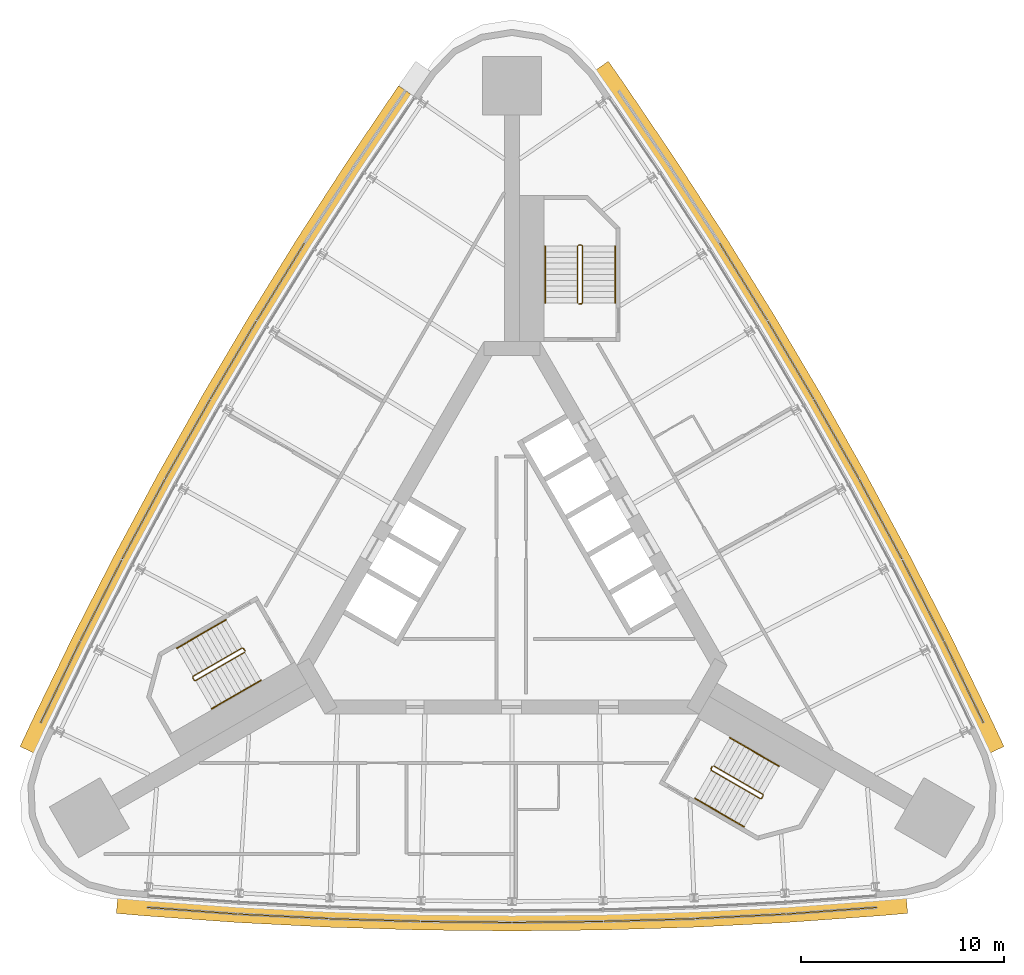
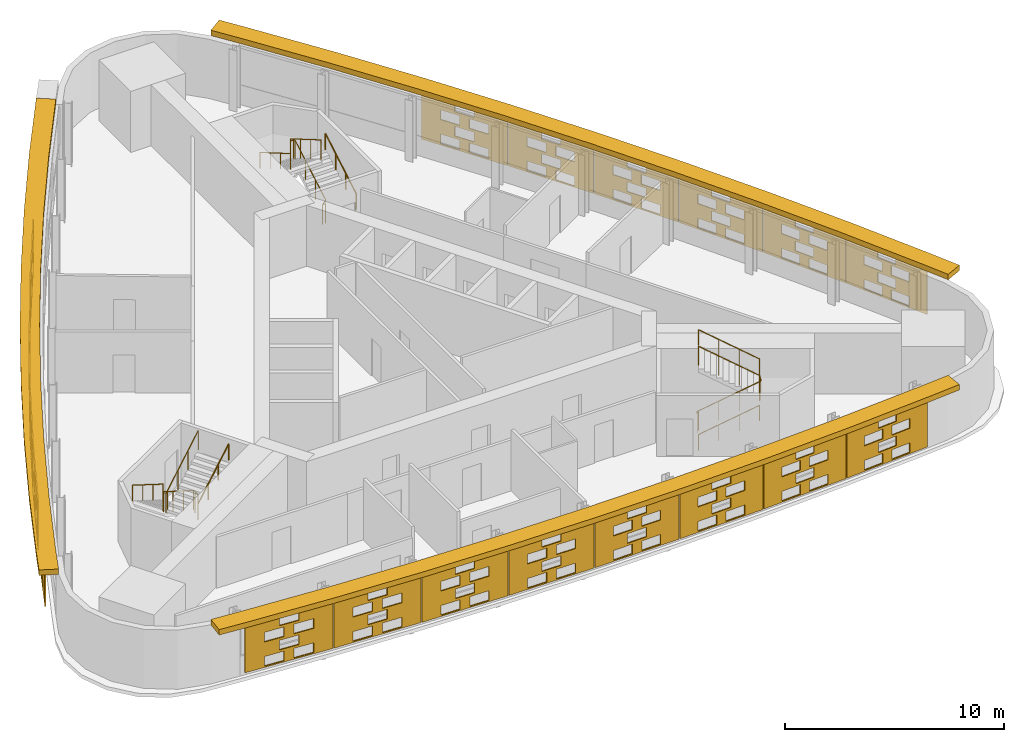
# One storey, part 12 of 13: 23 shading devices, 9 railings.
"""IFC4 building model written with IfcOpenShell, lengths in metres."""

from ifc_helpers import new_model, si_unit, direction, frame, origin, origin_2d, place, context, subcontext, project, spatial, polyline, circle, outline, extrude, material, material_profile, profile_set, type_object, element, save


model = new_model("IFC4")

# Units and contexts
model_context = context("Model", 3, precision=1e-05, world=origin(), true_north=direction((0.0, 1.0)))
body_context = subcontext(model_context, "Body", "Model", "MODEL_VIEW")
ifc_project = project(units=[si_unit("LENGTHUNIT", "METRE"), si_unit("AREAUNIT", "SQUARE_METRE"), si_unit("VOLUMEUNIT", "CUBIC_METRE"), si_unit("PLANEANGLEUNIT", "RADIAN"), si_unit("MASSUNIT", "GRAM", prefix="KILO")], contexts=[model_context])

# Site, building, storey
site_placement = place(None, origin())
site = spatial("IfcSite", under=ifc_project, at=site_placement, CompositionType="ELEMENT")
building_placement = place(site_placement, origin())
building = spatial("IfcBuilding", under=site, at=building_placement, Name="Noor Cloister Tower", CompositionType="ELEMENT")
storey_placement = place(building_placement, frame((0.0, 0.0, 140.10009765625)))
storey = spatial("IfcBuildingStorey", under=building, at=storey_placement, Name="L35", CompositionType="ELEMENT", Elevation=140.10009765625)

# Shading devices
ifc_material_1 = material(Name="Limestone", Category="masonry")
ifc_material_profile = material_profile(ifc_material_1, outline(polyline([(-2.22998046875, -1.35009765625), (2.22998046875, -1.35009765625), (2.22998046875, 1.35009765625), (-2.22998046875, 1.35009765625), (-2.22998046875, -1.35009765625)]), holes=[polyline([(-1.25, -1.282470703125), (-0.25, -1.282470703125), (-0.25, -0.742431640625), (-1.25, -0.742431640625), (-1.25, -1.282470703125)]), polyline([(0.25, -1.282470703125), (1.25, -1.282470703125), (1.25, -0.742431640625), (0.25, -0.742431640625), (0.25, -1.282470703125)]), polyline([(-0.5, -0.607421875), (0.5, -0.607421875), (0.5, -0.0673828125), (-0.5, -0.0673828125), (-0.5, -0.607421875)]), polyline([(-1.25, 0.0673828125), (-0.25, 0.0673828125), (-0.25, 0.607421875), (-1.25, 0.607421875), (-1.25, 0.0673828125)]), polyline([(0.25, 0.0673828125), (1.25, 0.0673828125), (1.25, 0.607421875), (0.25, 0.607421875), (0.25, 0.0673828125)]), polyline([(-0.5, 0.742431640625), (0.5, 0.742431640625), (0.5, 1.282470703125), (-0.5, 1.282470703125), (-0.5, 0.742431640625)])]), Name="Woven screen 30 percent open")
ifc_profile_set = profile_set([ifc_material_profile], Name="Limestone")
shading_device_type_1 = type_object("IfcShadingDeviceType", Name="SCREEN woven limestone 30 percent open", PredefinedType="USERDEFINED", material=ifc_profile_set)
for number, where, z_axis, x_axis, name in (
    (1, (-11.390625, 14.385009765625, 1.849853515625), (-0.850958576931, 0.525232805857, 0.0), (-0.525232805857, -0.850958576931, 0.0), "SCREEN L35 3"),
    (2, (-13.724609375, 10.527099609375, 1.849853515625), (-0.86141148773, 0.507907716822, 0.0), (-0.507907716822, -0.86141148773, 0.0), "SCREEN L35 4"),
    (3, (-15.97900390625, 6.622314453125, 1.849853515625), (-0.87048706901, 0.492191286683, 0.0), (-0.492191286683, -0.87048706901, 0.0), "SCREEN L35 5"),
):
    element("IfcShadingDevice", number, at=place(storey_placement, frame(where, z_axis=z_axis, x_axis=x_axis)), inside=storey, type_object=shading_device_type_1, Name=name, ObjectType="SCREEN", PredefinedType="USERDEFINED", context=body_context, shape_type="SweptSolid", body=[
        extrude(outline(polyline([(-2.22998046875, -1.35009765625), (2.22998046875, -1.35009765625), (2.22998046875, 1.35009765625), (-2.22998046875, 1.35009765625), (-2.22998046875, -1.35009765625)]), holes=[polyline([(-1.25, -1.282470703125), (-0.25, -1.282470703125), (-0.25, -0.742431640625), (-1.25, -0.742431640625), (-1.25, -1.282470703125)]), polyline([(0.25, -1.282470703125), (1.25, -1.282470703125), (1.25, -0.742431640625), (0.25, -0.742431640625), (0.25, -1.282470703125)]), polyline([(-0.5, -0.607421875), (0.5, -0.607421875), (0.5, -0.0673828125), (-0.5, -0.0673828125), (-0.5, -0.607421875)]), polyline([(-1.25, 0.0673828125), (-0.25, 0.0673828125), (-0.25, 0.607421875), (-1.25, 0.607421875), (-1.25, 0.0673828125)]), polyline([(0.25, 0.0673828125), (1.25, 0.0673828125), (1.25, 0.607421875), (0.25, 0.607421875), (0.25, 0.0673828125)]), polyline([(-0.5, 0.742431640625), (0.5, 0.742431640625), (0.5, 1.282470703125), (-0.5, 1.282470703125), (-0.5, 0.742431640625)])]), origin(), (0.0, 0.0, 1.0), 0.06005859375),
    ])
shading_device_1_placement = place(storey_placement, frame((-18.153076171875, 2.672119140625, 1.849853515625), z_axis=(-0.880994429299, 0.473126637957, 0.0), x_axis=(-0.473126637957, -0.880994429299, 0.0)))
element("IfcShadingDevice", 4, at=shading_device_1_placement, inside=storey, type_object=shading_device_type_1, Name="SCREEN L35 6", ObjectType="SCREEN", PredefinedType="USERDEFINED", context=body_context, shape_type="SweptSolid", body=[
    extrude(outline(polyline([(-2.22998046875, -1.35009765625), (2.22998046875, -1.35009765625), (2.22998046875, 1.35009765625), (-2.22998046875, 1.35009765625), (-2.22998046875, -1.35009765625)]), holes=[polyline([(-1.25, -1.282470703125), (-0.25, -1.282470703125), (-0.25, -0.742431640625), (-1.25, -0.742431640625), (-1.25, -1.282470703125)]), polyline([(0.25, -1.282470703125), (1.25, -1.282470703125), (1.25, -0.742431640625), (0.25, -0.742431640625), (0.25, -1.282470703125)]), polyline([(-0.5, -0.607421875), (0.5, -0.607421875), (0.5, -0.0673828125), (-0.5, -0.0673828125), (-0.5, -0.607421875)]), polyline([(-1.25, 0.0673828125), (-0.25, 0.0673828125), (-0.25, 0.607421875), (-1.25, 0.607421875), (-1.25, 0.0673828125)]), polyline([(0.25, 0.0673828125), (1.25, 0.0673828125), (1.25, 0.607421875), (0.25, 0.607421875), (0.25, 0.0673828125)]), polyline([(-0.5, 0.742431640625), (0.5, 0.742431640625), (0.5, 1.282470703125), (-0.5, 1.282470703125), (-0.5, 0.742431640625)])]), origin(), (0.0, 0.0, 1.0), 0.059814453125),
])
for number, where, z_axis, x_axis, name in (
    (5, (-20.245361328125, -1.322021484375, 1.849853515625), (-0.890324823337, 0.455325937049, 0.0), (-0.455325937049, -0.890324823337, 0.0), "SCREEN L35 7"),
    (6, (-22.255615234375, -5.35791015625, 1.849853515625), (-0.900056208046, 0.435773820185, 0.0), (-0.435773820185, -0.900056208046, 0.0), "SCREEN L35 8"),
    (7, (-15.767822265625, -16.594970703125, 1.849853515625), (-0.073271902152, -0.99731200151, 0.0), (0.99731200151, -0.073271902152, 0.0), "SCREEN L35 1"),
    (8, (-11.267578125, -16.8720703125, 1.849853515625), (-0.048722553713, -0.998812351125, 0.0), (0.998812351125, -0.048722553713, 0.0), "SCREEN L35 2"),
    (9, (-6.762451171875, -17.056884765625, 1.849853515625), (-0.028443771376, -0.999595394082, 0.0), (0.999595394082, -0.028443771376, 0.0), "SCREEN L35 3"),
    (10, (-2.25439453125, -17.1494140625, 1.849853515625), (-0.012194215217, -0.999925647793, 0.0), (0.999925647793, -0.012194215217, 0.0), "SCREEN L35 4"),
    (11, (2.25439453125, -17.1494140625, 1.849853515625), (0.012194215217, -0.999925647793, 0.0), (0.999925647793, 0.012194215217, 0.0), "SCREEN L35 5"),
    (12, (6.762451171875, -17.056884765625, 1.849853515625), (0.028443771376, -0.999595394082, 0.0), (0.999595394082, 0.028443771376, 0.0), "SCREEN L35 6"),
    (13, (11.267578125, -16.8720703125, 1.849853515625), (0.048722553713, -0.998812351125, 0.0), (0.998812351125, 0.048722553713, 0.0), "SCREEN L35 7"),
    (14, (15.767822265625, -16.594970703125, 1.849853515625), (0.073271902152, -0.99731200151, 0.0), (0.99731200151, 0.073271902152, 0.0), "SCREEN L35 8"),
    (15, (22.255615234375, -5.35791015625, 1.849853515625), (0.900056208046, 0.435773820185, 0.0), (-0.435773820185, 0.900056208046, 0.0), "SCREEN L35 1"),
    (16, (20.245361328125, -1.322021484375, 1.849853515625), (0.890324823337, 0.455325937049, 0.0), (-0.455325937049, 0.890324823337, 0.0), "SCREEN L35 2"),
):
    element("IfcShadingDevice", number, at=place(storey_placement, frame(where, z_axis=z_axis, x_axis=x_axis)), inside=storey, type_object=shading_device_type_1, Name=name, ObjectType="SCREEN", PredefinedType="USERDEFINED", context=body_context, shape_type="SweptSolid", body=[
        extrude(outline(polyline([(-2.22998046875, -1.35009765625), (2.22998046875, -1.35009765625), (2.22998046875, 1.35009765625), (-2.22998046875, 1.35009765625), (-2.22998046875, -1.35009765625)]), holes=[polyline([(-1.25, -1.282470703125), (-0.25, -1.282470703125), (-0.25, -0.742431640625), (-1.25, -0.742431640625), (-1.25, -1.282470703125)]), polyline([(0.25, -1.282470703125), (1.25, -1.282470703125), (1.25, -0.742431640625), (0.25, -0.742431640625), (0.25, -1.282470703125)]), polyline([(-0.5, -0.607421875), (0.5, -0.607421875), (0.5, -0.0673828125), (-0.5, -0.0673828125), (-0.5, -0.607421875)]), polyline([(-1.25, 0.0673828125), (-0.25, 0.0673828125), (-0.25, 0.607421875), (-1.25, 0.607421875), (-1.25, 0.0673828125)]), polyline([(0.25, 0.0673828125), (1.25, 0.0673828125), (1.25, 0.607421875), (0.25, 0.607421875), (0.25, 0.0673828125)]), polyline([(-0.5, 0.742431640625), (0.5, 0.742431640625), (0.5, 1.282470703125), (-0.5, 1.282470703125), (-0.5, 0.742431640625)])]), origin(), (0.0, 0.0, 1.0), 0.06005859375),
    ])
shading_device_2_placement = place(storey_placement, frame((18.153076171875, 2.672119140625, 1.849853515625), z_axis=(0.880994429299, 0.473126637957, 0.0), x_axis=(-0.473126637957, 0.880994429299, 0.0)))
element("IfcShadingDevice", 17, at=shading_device_2_placement, inside=storey, type_object=shading_device_type_1, Name="SCREEN L35 3", ObjectType="SCREEN", PredefinedType="USERDEFINED", context=body_context, shape_type="SweptSolid", body=[
    extrude(outline(polyline([(-2.22998046875, -1.35009765625), (2.22998046875, -1.35009765625), (2.22998046875, 1.35009765625), (-2.22998046875, 1.35009765625), (-2.22998046875, -1.35009765625)]), holes=[polyline([(-1.25, -1.282470703125), (-0.25, -1.282470703125), (-0.25, -0.742431640625), (-1.25, -0.742431640625), (-1.25, -1.282470703125)]), polyline([(0.25, -1.282470703125), (1.25, -1.282470703125), (1.25, -0.742431640625), (0.25, -0.742431640625), (0.25, -1.282470703125)]), polyline([(-0.5, -0.607421875), (0.5, -0.607421875), (0.5, -0.0673828125), (-0.5, -0.0673828125), (-0.5, -0.607421875)]), polyline([(-1.25, 0.0673828125), (-0.25, 0.0673828125), (-0.25, 0.607421875), (-1.25, 0.607421875), (-1.25, 0.0673828125)]), polyline([(0.25, 0.0673828125), (1.25, 0.0673828125), (1.25, 0.607421875), (0.25, 0.607421875), (0.25, 0.0673828125)]), polyline([(-0.5, 0.742431640625), (0.5, 0.742431640625), (0.5, 1.282470703125), (-0.5, 1.282470703125), (-0.5, 0.742431640625)])]), origin(), (0.0, 0.0, 1.0), 0.059814453125),
])
for number, where, z_axis, x_axis, name in (
    (18, (15.97900390625, 6.622314453125, 1.849853515625), (0.87048706901, 0.492191286683, 0.0), (-0.492191286683, 0.87048706901, 0.0), "SCREEN L35 4"),
    (19, (13.724609375, 10.527099609375, 1.849853515625), (0.86141148773, 0.507907716822, 0.0), (-0.507907716822, 0.86141148773, 0.0), "SCREEN L35 5"),
    (20, (11.390625, 14.385009765625, 1.849853515625), (0.850958576931, 0.525232805857, 0.0), (-0.525232805857, 0.850958576931, 0.0), "SCREEN L35 6"),
):
    element("IfcShadingDevice", number, at=place(storey_placement, frame(where, z_axis=z_axis, x_axis=x_axis)), inside=storey, type_object=shading_device_type_1, Name=name, ObjectType="SCREEN", PredefinedType="USERDEFINED", context=body_context, shape_type="SweptSolid", body=[
        extrude(outline(polyline([(-2.22998046875, -1.35009765625), (2.22998046875, -1.35009765625), (2.22998046875, 1.35009765625), (-2.22998046875, 1.35009765625), (-2.22998046875, -1.35009765625)]), holes=[polyline([(-1.25, -1.282470703125), (-0.25, -1.282470703125), (-0.25, -0.742431640625), (-1.25, -0.742431640625), (-1.25, -1.282470703125)]), polyline([(0.25, -1.282470703125), (1.25, -1.282470703125), (1.25, -0.742431640625), (0.25, -0.742431640625), (0.25, -1.282470703125)]), polyline([(-0.5, -0.607421875), (0.5, -0.607421875), (0.5, -0.0673828125), (-0.5, -0.0673828125), (-0.5, -0.607421875)]), polyline([(-1.25, 0.0673828125), (-0.25, 0.0673828125), (-0.25, 0.607421875), (-1.25, 0.607421875), (-1.25, 0.0673828125)]), polyline([(0.25, 0.0673828125), (1.25, 0.0673828125), (1.25, 0.607421875), (0.25, 0.607421875), (0.25, 0.0673828125)]), polyline([(-0.5, 0.742431640625), (0.5, 0.742431640625), (0.5, 1.282470703125), (-0.5, 1.282470703125), (-0.5, 0.742431640625)])]), origin(), (0.0, 0.0, 1.0), 0.06005859375),
    ])
ifc_material_2 = material(Name="Limestone", Category="masonry")
shading_device_type_2 = type_object("IfcShadingDeviceType", Name="SUNSHADE limestone band 900", PredefinedType="USERDEFINED", material=ifc_material_2)
shading_device_3_placement = place(storey_placement, frame((0.0, 0.0, 3.2998046875)))
element("IfcShadingDevice", 21, at=shading_device_3_placement, inside=storey, type_object=shading_device_type_2, Name="SUNSHADE L35 1", ObjectType="SUNSHADE", PredefinedType="USERDEFINED", context=body_context, shape_type="SweptSolid", body=[
    extrude(outline(polyline([(-5.598388671875, 24.068115234375), (-8.127197265625, 20.334716796875), (-10.583984375, 16.542724609375), (-12.96240234375, 12.700927734375), (-15.261474609375, 8.811279296875), (-17.48046875, 4.875244140625), (-19.618408203125, 0.89453125), (-21.674072265625, -3.12890625), (-23.6455078125, -7.191162109375), (-24.270751953125, -8.525390625), (-23.455810546875, -8.907470703125), (-22.833251953125, -7.57861328125), (-20.868408203125, -3.5302734375), (-18.821044921875, 0.47705078125), (-16.69189453125, 4.44140625), (-14.482177734375, 8.361328125), (-12.1923828125, 12.235107421875), (-9.823486328125, 16.06103515625), (-7.376953125, 19.837646484375), (-4.853271484375, 23.5634765625), (-5.598388671875, 24.068115234375)])), origin(), (0.0, 0.0, 1.0), 0.300048828125),
])
shading_device_4_placement = place(storey_placement, frame((0.0, 0.0, 3.2998046875)))
element("IfcShadingDevice", 22, at=shading_device_4_placement, inside=storey, type_object=shading_device_type_2, Name="SUNSHADE L35 2", ObjectType="SUNSHADE", PredefinedType="USERDEFINED", context=body_context, shape_type="SweptSolid", body=[
    extrude(outline(polyline([(-19.518798828125, -16.75634765625), (-18.050537109375, -16.882080078125), (-13.546875, -17.205810546875), (-9.034423828125, -17.437255859375), (-4.51806640625, -17.576171875), (0.0, -17.62255859375), (4.51806640625, -17.576171875), (9.034423828125, -17.437255859375), (13.546875, -17.205810546875), (18.050537109375, -16.882080078125), (19.518798828125, -16.75634765625), (19.44189453125, -15.859619140625), (17.979736328125, -15.98486328125), (13.491455078125, -16.307373046875), (8.99755859375, -16.5380859375), (4.499755859375, -16.67626953125), (0.0, -16.722412109375), (-4.499755859375, -16.67626953125), (-8.99755859375, -16.5380859375), (-13.491455078125, -16.307373046875), (-17.979736328125, -15.98486328125), (-19.44189453125, -15.859619140625), (-19.518798828125, -16.75634765625)])), origin(), (0.0, 0.0, 1.0), 0.300048828125),
])
shading_device_5_placement = place(storey_placement, frame((0.0, 0.0, 3.2998046875)))
element("IfcShadingDevice", 23, at=shading_device_5_placement, inside=storey, type_object=shading_device_type_2, Name="SUNSHADE L35 3", ObjectType="SUNSHADE", PredefinedType="USERDEFINED", context=body_context, shape_type="SweptSolid", body=[
    extrude(outline(polyline([(24.270751953125, -8.525390625), (23.6455078125, -7.191162109375), (21.674072265625, -3.12890625), (19.618408203125, 0.89453125), (17.48046875, 4.875244140625), (15.261474609375, 8.811279296875), (12.96240234375, 12.700927734375), (10.583984375, 16.542724609375), (8.127197265625, 20.334716796875), (5.594970703125, 24.0732421875), (4.752197265625, 25.281982421875), (4.013916015625, 24.76708984375), (4.853271484375, 23.5634765625), (7.376953125, 19.837646484375), (9.823486328125, 16.06103515625), (12.1923828125, 12.235107421875), (14.482177734375, 8.361328125), (16.69189453125, 4.44140625), (18.821044921875, 0.47705078125), (20.868408203125, -3.5302734375), (22.833251953125, -7.57861328125), (23.455810546875, -8.907470703125), (24.270751953125, -8.525390625)])), origin(), (0.0, 0.0, 1.0), 0.300048828125),
])

# Railings
ifc_material_3 = material(Name="Stainless steel", Category="steel")
railing_type_1 = type_object("IfcRailingType", Name="Stair guard 1100", PredefinedType="GUARDRAIL", material=ifc_material_3)
railing_1_placement = place(storey_placement, frame((3.435546875, 13.306396484375, 0.0)))
element("IfcRailing", 24, at=railing_1_placement, inside=storey, type_object=railing_type_1, Name="Stair guard ST1 L35", PredefinedType="GUARDRAIL", context=body_context, shape_type="SweptSolid", body=[
    extrude(circle(Radius=0.02392578125, at=origin_2d()), frame((0.0, 0.0, 1.076171875), z_axis=(-1.0, 0.0, 0.0), x_axis=(0.0, -1.0, 0.0)), (0.0, 0.0, 1.0), 0.14990234375),
    extrude(circle(Radius=0.02392578125, at=origin_2d()), frame((-0.14990234375, 0.0, 1.076171875), z_axis=(0.759870394187, 0.190199549216, 0.621627795), x_axis=(-0.242814311512, 0.970072785993, 0.0)), (0.0, 0.0, 1.0), 0.26318359375),
    extrude(circle(Radius=0.02392578125, at=origin_2d()), frame((0.050048828125, 0.050048828125, 1.23974609375), z_axis=(0.0, 0.863393664356, 0.504530851732), x_axis=(-1.0, 0.0, 0.0)), (0.0, 0.0, 1.0), 3.2431640625),
    extrude(circle(Radius=0.02392578125, at=origin_2d()), frame((0.050048828125, 2.85009765625, 2.8759765625), z_axis=(-0.708833529934, 0.705375805398, 0.0), x_axis=(-0.705375805398, -0.708833529934, 0.0)), (0.0, 0.0, 1.0), 0.070556640625),
    extrude(circle(Radius=0.02392578125, at=origin_2d()), frame((0.0, 2.89990234375, 2.8759765625), z_axis=(-1.0, 0.0, 0.0), x_axis=(0.0, -1.0, 0.0)), (0.0, 0.0, 1.0), 0.14990234375),
    extrude(circle(Radius=0.02392578125, at=origin_2d()), frame((-0.14990234375, 2.89990234375, 2.8759765625), z_axis=(-0.280563532951, -0.279194930351, 0.91833234444), x_axis=(0.705375805398, -0.708833529934, 0.0)), (0.0, 0.0, 1.0), 0.178466796875),
    extrude(circle(Radius=0.02392578125, at=origin_2d()), frame((-0.199951171875, 2.85009765625, 3.03955078125), z_axis=(0.0, -0.863393664356, 0.504530851732), x_axis=(1.0, 0.0, 0.0)), (0.0, 0.0, 1.0), 3.2431640625),
    extrude(circle(Radius=0.02099609375, at=origin_2d()), origin(), (0.0, 0.0, 1.0), 1.052001953125),
    extrude(circle(Radius=0.02099609375, at=origin_2d()), frame((-0.14990234375, 0.0, 0.0)), (0.0, 0.0, 1.0), 1.052001953125),
    extrude(circle(Radius=0.02099609375, at=origin_2d()), frame((0.050048828125, 0.050048828125, 0.16357421875)), (0.0, 0.0, 1.0), 1.052001953125),
    extrude(circle(Radius=0.02099609375, at=origin_2d()), frame((0.050048828125, 0.9833984375, 0.708984375)), (0.0, 0.0, 1.0), 1.052001953125),
    extrude(circle(Radius=0.02099609375, at=origin_2d()), frame((0.050048828125, 1.916748046875, 1.25439453125)), (0.0, 0.0, 1.0), 1.052001953125),
    extrude(circle(Radius=0.02099609375, at=origin_2d()), frame((0.050048828125, 2.85009765625, 1.7998046875)), (0.0, 0.0, 1.0), 1.052001953125),
    extrude(circle(Radius=0.02099609375, at=origin_2d()), frame((0.0, 2.89990234375, 1.7998046875)), (0.0, 0.0, 1.0), 1.052001953125),
    extrude(circle(Radius=0.02099609375, at=origin_2d()), frame((-0.14990234375, 2.89990234375, 1.7998046875)), (0.0, 0.0, 1.0), 1.052001953125),
    extrude(circle(Radius=0.02099609375, at=origin_2d()), frame((-0.199951171875, 2.85009765625, 1.963623046875)), (0.0, 0.0, 1.0), 1.052001953125),
    extrude(circle(Radius=0.02099609375, at=origin_2d()), frame((-0.199951171875, 1.916748046875, 2.509033203125)), (0.0, 0.0, 1.0), 1.052001953125),
    extrude(circle(Radius=0.02099609375, at=origin_2d()), frame((-0.199951171875, 0.9833984375, 3.054443359375)), (0.0, 0.0, 1.0), 1.052001953125),
    extrude(circle(Radius=0.02099609375, at=origin_2d()), frame((-0.199951171875, 0.050048828125, 3.599853515625)), (0.0, 0.0, 1.0), 1.052001953125),
])
railing_2_placement = place(storey_placement, frame((-13.241455078125, -3.677734375, 0.0)))
element("IfcRailing", 25, at=railing_2_placement, inside=storey, type_object=railing_type_1, Name="Stair guard ST2 L35", PredefinedType="GUARDRAIL", context=body_context, shape_type="SweptSolid", body=[
    extrude(circle(Radius=0.02392578125, at=origin_2d()), frame((0.0, 0.0, 1.076171875), z_axis=(0.499112439033, -0.866537231285, 0.0), x_axis=(0.866537231285, 0.499112439033, 0.0)), (0.0, 0.0, 1.0), 0.150146484375),
    extrude(circle(Radius=0.02392578125, at=origin_2d()), frame((0.074951171875, -0.130126953125, 1.076171875), z_axis=(-0.544565797804, 0.563119998752, 0.621565731736), x_axis=(-0.718850276695, -0.695164929852, 0.0)), (0.0, 0.0, 1.0), 0.26318359375),
    extrude(circle(Radius=0.02392578125, at=origin_2d()), frame((-0.068359375, 0.01806640625, 1.23974609375), z_axis=(-0.74771821388, -0.431677027627, 0.504551698492), x_axis=(0.49998411664, -0.866034573852, 0.0)), (0.0, 0.0, 1.0), 3.242919921875),
    extrude(circle(Radius=0.02392578125, at=origin_2d()), frame((-2.4931640625, -1.3818359375, 2.8759765625), z_axis=(-0.258736085224, -0.965948051503, 0.0), x_axis=(0.965948051503, -0.258736085224, 0.0)), (0.0, 0.0, 1.0), 0.07080078125),
    extrude(circle(Radius=0.02392578125, at=origin_2d()), frame((-2.511474609375, -1.4501953125, 2.8759765625), z_axis=(0.499816412211, -0.866131372301, 0.0), x_axis=(0.866131372301, 0.499816412211, 0.0)), (0.0, 0.0, 1.0), 0.14990234375),
    extrude(circle(Radius=0.02392578125, at=origin_2d()), frame((-2.4365234375, -1.580078125, 2.8759765625), z_axis=(0.383070988865, -0.102608300589, 0.918002262601), x_axis=(0.258736085224, 0.965948051503, 0.0)), (0.0, 0.0, 1.0), 0.178466796875),
    extrude(circle(Radius=0.02392578125, at=origin_2d()), frame((-2.3681640625, -1.598388671875, 3.03955078125), z_axis=(0.747693913401, 0.431738279637, 0.504535300807), x_axis=(-0.500049511043, 0.865996816683, 0.0)), (0.0, 0.0, 1.0), 3.2431640625),
    extrude(circle(Radius=0.02099609375, at=origin_2d()), origin(), (0.0, 0.0, 1.0), 1.052001953125),
    extrude(circle(Radius=0.02099609375, at=origin_2d()), frame((0.074951171875, -0.130126953125, 0.0)), (0.0, 0.0, 1.0), 1.052001953125),
    extrude(circle(Radius=0.02099609375, at=origin_2d()), frame((-0.068359375, 0.01806640625, 0.16357421875)), (0.0, 0.0, 1.0), 1.052001953125),
    extrude(circle(Radius=0.02099609375, at=origin_2d()), frame((-0.876708984375, -0.448486328125, 0.708984375)), (0.0, 0.0, 1.0), 1.052001953125),
    extrude(circle(Radius=0.02099609375, at=origin_2d()), frame((-1.684814453125, -0.915283203125, 1.25439453125)), (0.0, 0.0, 1.0), 1.052001953125),
    extrude(circle(Radius=0.02099609375, at=origin_2d()), frame((-2.4931640625, -1.3818359375, 1.7998046875)), (0.0, 0.0, 1.0), 1.052001953125),
    extrude(circle(Radius=0.02099609375, at=origin_2d()), frame((-2.511474609375, -1.4501953125, 1.7998046875)), (0.0, 0.0, 1.0), 1.052001953125),
    extrude(circle(Radius=0.02099609375, at=origin_2d()), frame((-2.4365234375, -1.580078125, 1.7998046875)), (0.0, 0.0, 1.0), 1.052001953125),
    extrude(circle(Radius=0.02099609375, at=origin_2d()), frame((-2.3681640625, -1.598388671875, 1.963623046875)), (0.0, 0.0, 1.0), 1.052001953125),
    extrude(circle(Radius=0.02099609375, at=origin_2d()), frame((-1.559814453125, -1.131591796875, 2.509033203125)), (0.0, 0.0, 1.0), 1.052001953125),
    extrude(circle(Radius=0.02099609375, at=origin_2d()), frame((-0.751708984375, -0.6650390625, 3.054443359375)), (0.0, 0.0, 1.0), 1.052001953125),
    extrude(circle(Radius=0.02099609375, at=origin_2d()), frame((0.056640625, -0.1982421875, 3.599853515625)), (0.0, 0.0, 1.0), 1.052001953125),
])
railing_3_placement = place(storey_placement, frame((9.805908203125, -9.628662109375, 0.0)))
element("IfcRailing", 26, at=railing_3_placement, inside=storey, type_object=railing_type_1, Name="Stair guard ST3 L35", PredefinedType="GUARDRAIL", context=body_context, shape_type="SweptSolid", body=[
    extrude(circle(Radius=0.02392578125, at=origin_2d()), frame((0.0, 0.0, 1.076171875), z_axis=(0.499112439033, 0.866537231285, 0.0), x_axis=(-0.866537231285, 0.499112439033, 0.0)), (0.0, 0.0, 1.0), 0.150146484375),
    extrude(circle(Radius=0.02392578125, at=origin_2d()), frame((0.074951171875, 0.130126953125, 1.076171875), z_axis=(-0.215214839654, -0.753251938789, 0.621525614518), x_axis=(0.961523947641, -0.274721127897, 0.0)), (0.0, 0.0, 1.0), 0.26318359375),
    extrude(circle(Radius=0.02392578125, at=origin_2d()), frame((0.018310546875, -0.068115234375, 1.23974609375), z_axis=(0.747693913401, -0.431738279637, 0.504535300807), x_axis=(0.500049511043, 0.865996816683, 0.0)), (0.0, 0.0, 1.0), 3.2431640625),
    extrude(circle(Radius=0.02392578125, at=origin_2d()), frame((2.443115234375, -1.46826171875, 2.8759765625), z_axis=(0.965948051503, 0.258736085224, 0.0), x_axis=(-0.258736085224, 0.965948051503, 0.0)), (0.0, 0.0, 1.0), 0.07080078125),
    extrude(circle(Radius=0.02392578125, at=origin_2d()), frame((2.511474609375, -1.449951171875, 2.8759765625), z_axis=(0.499816412211, 0.866131372301, 0.0), x_axis=(-0.866131372301, 0.499816412211, 0.0)), (0.0, 0.0, 1.0), 0.14990234375),
    extrude(circle(Radius=0.02392578125, at=origin_2d()), frame((2.58642578125, -1.320068359375, 2.8759765625), z_axis=(-0.102608300589, 0.383070988865, 0.918002262601), x_axis=(-0.965948051503, -0.258736085224, 0.0)), (0.0, 0.0, 1.0), 0.178466796875),
    extrude(circle(Radius=0.02392578125, at=origin_2d()), frame((2.568115234375, -1.251708984375, 3.03955078125), z_axis=(-0.74771821388, 0.431677027627, 0.504551698492), x_axis=(-0.49998411664, -0.866034573852, 0.0)), (0.0, 0.0, 1.0), 3.242919921875),
    extrude(circle(Radius=0.02099609375, at=origin_2d()), origin(), (0.0, 0.0, 1.0), 1.052001953125),
    extrude(circle(Radius=0.02099609375, at=origin_2d()), frame((0.074951171875, 0.130126953125, 0.0)), (0.0, 0.0, 1.0), 1.052001953125),
    extrude(circle(Radius=0.02099609375, at=origin_2d()), frame((0.018310546875, -0.068115234375, 0.16357421875)), (0.0, 0.0, 1.0), 1.052001953125),
    extrude(circle(Radius=0.02099609375, at=origin_2d()), frame((0.82666015625, -0.534912109375, 0.708984375)), (0.0, 0.0, 1.0), 1.052001953125),
    extrude(circle(Radius=0.02099609375, at=origin_2d()), frame((1.634765625, -1.00146484375, 1.25439453125)), (0.0, 0.0, 1.0), 1.052001953125),
    extrude(circle(Radius=0.02099609375, at=origin_2d()), frame((2.443115234375, -1.46826171875, 1.7998046875)), (0.0, 0.0, 1.0), 1.052001953125),
    extrude(circle(Radius=0.02099609375, at=origin_2d()), frame((2.511474609375, -1.449951171875, 1.7998046875)), (0.0, 0.0, 1.0), 1.052001953125),
    extrude(circle(Radius=0.02099609375, at=origin_2d()), frame((2.58642578125, -1.320068359375, 1.7998046875)), (0.0, 0.0, 1.0), 1.052001953125),
    extrude(circle(Radius=0.02099609375, at=origin_2d()), frame((2.568115234375, -1.251708984375, 1.963623046875)), (0.0, 0.0, 1.0), 1.052001953125),
    extrude(circle(Radius=0.02099609375, at=origin_2d()), frame((1.759765625, -0.78515625, 2.509033203125)), (0.0, 0.0, 1.0), 1.052001953125),
    extrude(circle(Radius=0.02099609375, at=origin_2d()), frame((0.95166015625, -0.318359375, 3.054443359375)), (0.0, 0.0, 1.0), 1.052001953125),
    extrude(circle(Radius=0.02099609375, at=origin_2d()), frame((0.143310546875, 0.148193359375, 3.599853515625)), (0.0, 0.0, 1.0), 1.052001953125),
])
ifc_material_4 = material(Name="Stainless steel", Category="steel")
railing_type_2 = type_object("IfcRailingType", Name="Stair handrail 900", PredefinedType="HANDRAIL", material=ifc_material_4)
railing_4_placement = place(storey_placement, frame((5.085693359375, 13.3564453125, 0.16357421875)))
element("IfcRailing", 27, at=railing_4_placement, inside=storey, type_object=railing_type_2, Name="Stair handrail ST1 L35 1", PredefinedType="HANDRAIL", context=body_context, shape_type="SweptSolid", body=[
    extrude(circle(Radius=0.02392578125, at=origin_2d()), frame((0.0, 0.0, 0.8759765625), z_axis=(0.0, 0.863393664356, 0.504530851732), x_axis=(-1.0, 0.0, 0.0)), (0.0, 0.0, 1.0), 3.2431640625),
    extrude(circle(Radius=0.02099609375, at=origin_2d()), origin(), (0.0, 0.0, 1.0), 0.851806640625),
    extrude(circle(Radius=0.02099609375, at=origin_2d()), frame((0.0, 0.933349609375, 0.54541015625)), (0.0, 0.0, 1.0), 0.851806640625),
    extrude(circle(Radius=0.02099609375, at=origin_2d()), frame((0.0, 1.86669921875, 1.0908203125)), (0.0, 0.0, 1.0), 0.851806640625),
    extrude(circle(Radius=0.02099609375, at=origin_2d()), frame((0.0, 2.800048828125, 1.63623046875)), (0.0, 0.0, 1.0), 0.851806640625),
])
railing_5_placement = place(storey_placement, frame((1.6357421875, 16.156494140625, 1.963623046875)))
element("IfcRailing", 28, at=railing_5_placement, inside=storey, type_object=railing_type_2, Name="Stair handrail ST1 L35 2", PredefinedType="HANDRAIL", context=body_context, shape_type="SweptSolid", body=[
    extrude(circle(Radius=0.02392578125, at=origin_2d()), frame((0.0, 0.0, 0.8759765625), z_axis=(0.0, -0.863393664356, 0.504530851732), x_axis=(1.0, 0.0, 0.0)), (0.0, 0.0, 1.0), 3.2431640625),
    extrude(circle(Radius=0.02099609375, at=origin_2d()), origin(), (0.0, 0.0, 1.0), 0.851806640625),
    extrude(circle(Radius=0.02099609375, at=origin_2d()), frame((0.0, -0.933349609375, 0.54541015625)), (0.0, 0.0, 1.0), 0.851806640625),
    extrude(circle(Radius=0.02099609375, at=origin_2d()), frame((0.0, -1.86669921875, 1.0908203125)), (0.0, 0.0, 1.0), 0.851806640625),
    extrude(circle(Radius=0.02099609375, at=origin_2d()), frame((0.0, -2.800048828125, 1.63623046875)), (0.0, 0.0, 1.0), 0.851806640625),
])
railing_6_placement = place(storey_placement, frame((-14.10986328125, -2.27392578125, 0.16357421875)))
element("IfcRailing", 29, at=railing_6_placement, inside=storey, type_object=railing_type_2, Name="Stair handrail ST2 L35 1", PredefinedType="HANDRAIL", context=body_context, shape_type="SweptSolid", body=[
    extrude(circle(Radius=0.02392578125, at=origin_2d()), frame((0.0, 0.0, 0.8759765625), z_axis=(-0.74771821388, -0.431677027627, 0.504551698492), x_axis=(0.49998411664, -0.866034573852, 0.0)), (0.0, 0.0, 1.0), 3.242919921875),
    extrude(circle(Radius=0.02099609375, at=origin_2d()), origin(), (0.0, 0.0, 1.0), 0.851806640625),
    extrude(circle(Radius=0.02099609375, at=origin_2d()), frame((-0.808349609375, -0.466552734375, 0.54541015625)), (0.0, 0.0, 1.0), 0.851806640625),
    extrude(circle(Radius=0.02099609375, at=origin_2d()), frame((-1.616455078125, -0.933349609375, 1.0908203125)), (0.0, 0.0, 1.0), 0.851806640625),
    extrude(circle(Radius=0.02099609375, at=origin_2d()), frame((-2.4248046875, -1.39990234375, 1.63623046875)), (0.0, 0.0, 1.0), 0.851806640625),
])
railing_7_placement = place(storey_placement, frame((-14.8095703125, -6.66162109375, 1.963623046875)))
element("IfcRailing", 30, at=railing_7_placement, inside=storey, type_object=railing_type_2, Name="Stair handrail ST2 L35 2", PredefinedType="HANDRAIL", context=body_context, shape_type="SweptSolid", body=[
    extrude(circle(Radius=0.02392578125, at=origin_2d()), frame((0.0, 0.0, 0.8759765625), z_axis=(0.74771821388, 0.431677027627, 0.504551698492), x_axis=(-0.49998411664, 0.866034573852, 0.0)), (0.0, 0.0, 1.0), 3.242919921875),
    extrude(circle(Radius=0.02099609375, at=origin_2d()), origin(), (0.0, 0.0, 1.0), 0.851806640625),
    extrude(circle(Radius=0.02099609375, at=origin_2d()), frame((0.808349609375, 0.466552734375, 0.54541015625)), (0.0, 0.0, 1.0), 0.851806640625),
    extrude(circle(Radius=0.02099609375, at=origin_2d()), frame((1.616455078125, 0.933349609375, 1.0908203125)), (0.0, 0.0, 1.0), 0.851806640625),
    extrude(circle(Radius=0.02099609375, at=origin_2d()), frame((2.4248046875, 1.39990234375, 1.63623046875)), (0.0, 0.0, 1.0), 0.851806640625),
])
railing_8_placement = place(storey_placement, frame((9.024169921875, -11.08251953125, 0.16357421875)))
element("IfcRailing", 31, at=railing_8_placement, inside=storey, type_object=railing_type_2, Name="Stair handrail ST3 L35 1", PredefinedType="HANDRAIL", context=body_context, shape_type="SweptSolid", body=[
    extrude(circle(Radius=0.02392578125, at=origin_2d()), frame((0.0, 0.0, 0.8759765625), z_axis=(0.74771821388, -0.431677027627, 0.504551698492), x_axis=(0.49998411664, 0.866034573852, 0.0)), (0.0, 0.0, 1.0), 3.242919921875),
    extrude(circle(Radius=0.02099609375, at=origin_2d()), origin(), (0.0, 0.0, 1.0), 0.851806640625),
    extrude(circle(Radius=0.02099609375, at=origin_2d()), frame((0.808349609375, -0.466552734375, 0.54541015625)), (0.0, 0.0, 1.0), 0.851806640625),
    extrude(circle(Radius=0.02099609375, at=origin_2d()), frame((1.616455078125, -0.933349609375, 1.0908203125)), (0.0, 0.0, 1.0), 0.851806640625),
    extrude(circle(Radius=0.02099609375, at=origin_2d()), frame((2.4248046875, -1.39990234375, 1.63623046875)), (0.0, 0.0, 1.0), 0.851806640625),
])
railing_9_placement = place(storey_placement, frame((13.174072265625, -9.49462890625, 1.963623046875)))
element("IfcRailing", 32, at=railing_9_placement, inside=storey, type_object=railing_type_2, Name="Stair handrail ST3 L35 2", PredefinedType="HANDRAIL", context=body_context, shape_type="SweptSolid", body=[
    extrude(circle(Radius=0.02392578125, at=origin_2d()), frame((0.0, 0.0, 0.8759765625), z_axis=(-0.74771821388, 0.431677027627, 0.504551698492), x_axis=(-0.49998411664, -0.866034573852, 0.0)), (0.0, 0.0, 1.0), 3.242919921875),
    extrude(circle(Radius=0.02099609375, at=origin_2d()), origin(), (0.0, 0.0, 1.0), 0.851806640625),
    extrude(circle(Radius=0.02099609375, at=origin_2d()), frame((-0.808349609375, 0.466552734375, 0.54541015625)), (0.0, 0.0, 1.0), 0.851806640625),
    extrude(circle(Radius=0.02099609375, at=origin_2d()), frame((-1.616455078125, 0.933349609375, 1.0908203125)), (0.0, 0.0, 1.0), 0.851806640625),
    extrude(circle(Radius=0.02099609375, at=origin_2d()), frame((-2.4248046875, 1.39990234375, 1.63623046875)), (0.0, 0.0, 1.0), 0.851806640625),
])

save(model, "model.ifc")
